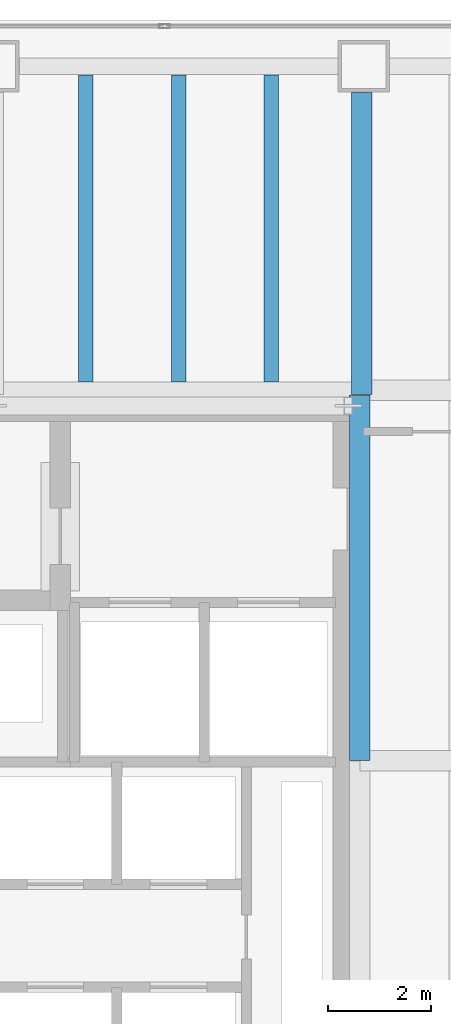
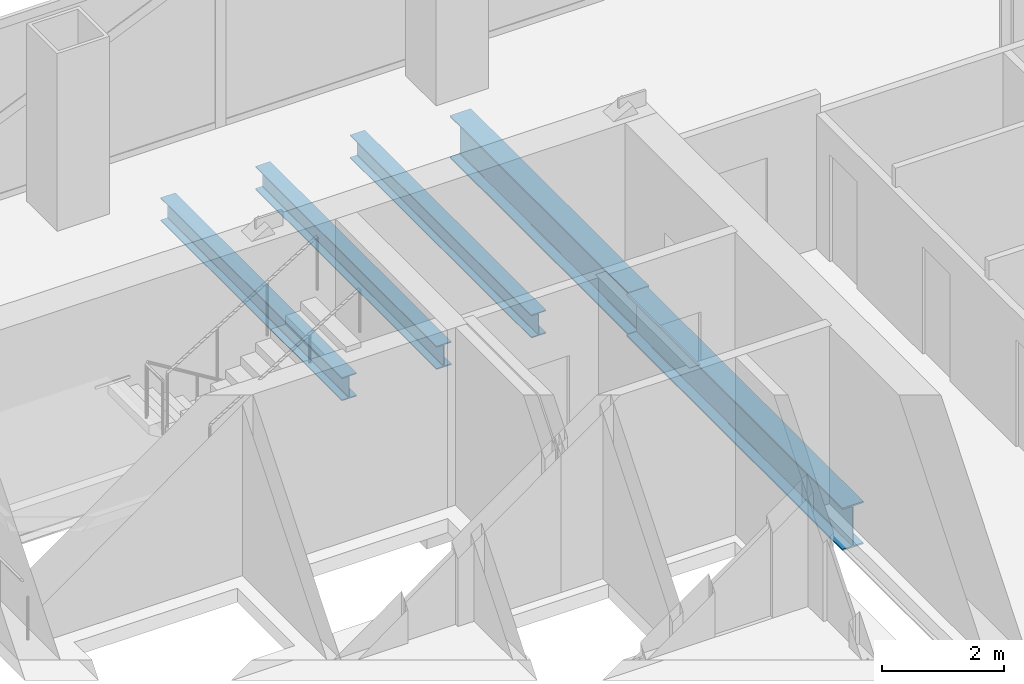
# One storey, part 15 of 23: 5 beams.
"""IFC4 building model written with IfcOpenShell, lengths in metres."""

import ifcopenshell
import ifcopenshell.guid

model = None  # the IFC model being written
_history = None  # IfcOwnerHistory: only IFC2X3 demands one
_inside = {}  # id of a spatial element -> (the spatial element, [elements in it])
_under = {}  # id of a project, library or spatial element -> (it, [spatial elements below it])
_declared = {}  # id of a project -> (the project, [libraries it declares])
_typed = {}  # id of a type object -> (the type object, [elements of that type])
_made_of = {}  # id of a material, layer set ... -> (it, [elements and type objects made of it])


def new_model(schema):
    """Start an empty IFC model of exactly this schema.

    Asked for "IFC4X3", IfcOpenShell would pick the latest addendum, in which some entities
    have other attributes; the version numbers below select the first issue.
    IFC2X3 requires an IfcOwnerHistory on every rooted entity: one is made here for all.
    """
    global model, _history
    if schema == "IFC4X3":
        model = ifcopenshell.file(schema_version=(4, 3, 0, 0))
    else:
        model = ifcopenshell.file(schema=schema)
    _inside.clear()
    _under.clear()
    _declared.clear()
    _typed.clear()
    _made_of.clear()
    _history = None
    if model.schema == "IFC2X3":
        org = make("IfcOrganization", Name="unknown")
        user = make(
            "IfcPersonAndOrganization",
            ThePerson=make("IfcPerson", FamilyName="unknown"),
            TheOrganization=org,
        )
        app = make(
            "IfcApplication",
            ApplicationDeveloper=org,
            Version="unknown",
            ApplicationFullName="unknown",
            ApplicationIdentifier="unknown",
        )
        _history = make(
            "IfcOwnerHistory",
            OwningUser=user,
            OwningApplication=app,
            ChangeAction="ADDED",
            CreationDate=0,
        )
    return model


def make(cls, **values):
    """One entity of the class cls with the attributes given. An attribute that is None is left unset."""
    return model.create_entity(
        cls, **{name: value for name, value in values.items() if value is not None}
    )


def rooted(cls, **values):
    """An entity with a GlobalId (a new one), such as an element, a storey or a relation."""
    return make(cls, GlobalId=ifcopenshell.guid.new(), OwnerHistory=_history, **values)


def si_unit(unit_type, name, prefix=None):
    """IfcSIUnit, for example si_unit("LENGTHUNIT", "METRE", prefix="MILLI")."""
    return make("IfcSIUnit", UnitType=unit_type, Prefix=prefix, Name=name)


def assignment(units):
    """IfcUnitAssignment: the units of a project."""
    return None if units is None else make("IfcUnitAssignment", Units=units)


def point(xyz):
    """IfcCartesianPoint."""
    return None if xyz is None else make("IfcCartesianPoint", Coordinates=xyz)


def direction(xyz):
    """IfcDirection."""
    return None if xyz is None else make("IfcDirection", DirectionRatios=xyz)


def frame(location, z_axis=None, x_axis=None):
    """IfcAxis2Placement3D, a coordinate frame: its origin and axes. An axis left out is left unset."""
    return make(
        "IfcAxis2Placement3D",
        Location=point(location),
        Axis=direction(z_axis),
        RefDirection=direction(x_axis),
    )


def frame_2d(location, x_axis=None):
    """IfcAxis2Placement2D, a coordinate frame in the plane: its origin and x axis."""
    return make(
        "IfcAxis2Placement2D", Location=point(location), RefDirection=direction(x_axis)
    )


def origin():
    """The frame at (0, 0, 0) with its axes left unset."""
    return frame((0.0, 0.0, 0.0))


def origin_2d():
    """The frame at (0, 0) in the plane with its x axis left unset."""
    return frame_2d((0.0, 0.0))


def place(relative_to, where):
    """IfcLocalPlacement: puts the frame where relative to a parent placement (None: the world)."""
    return make(
        "IfcLocalPlacement", PlacementRelTo=relative_to, RelativePlacement=where
    )


def context(
    kind, dimensions, precision=None, world=None, true_north=None, identifier=None
):
    """IfcGeometricRepresentationContext, for example the 3D "Model" context."""
    return make(
        "IfcGeometricRepresentationContext",
        ContextIdentifier=identifier,
        ContextType=kind,
        CoordinateSpaceDimension=dimensions,
        Precision=precision,
        WorldCoordinateSystem=world,
        TrueNorth=true_north,
    )


def subcontext(parent, identifier, kind, view, scale=None):
    """IfcGeometricRepresentationSubContext, for example "Body" below "Model"."""
    return make(
        "IfcGeometricRepresentationSubContext",
        ContextIdentifier=identifier,
        ContextType=kind,
        ParentContext=parent,
        TargetScale=scale,
        TargetView=view,
    )


def project(units=None, contexts=None):
    """IfcProject with its units and contexts."""
    return rooted(
        "IfcProject",
        Name="project",
        RepresentationContexts=contexts,
        UnitsInContext=assignment(units),
    )


def spatial(cls, under=None, at=None, **own):
    """A site, building, storey or space (cls), placed at a placement, below another one or the project."""
    s = rooted(cls, ObjectPlacement=at, **own)
    if under is not None:
        _under.setdefault(under.id(), (under, []))[1].append(s)
    return s


def profile(cls, at=None, kind="AREA", **sizes):
    """A parametric profile (cls). Its sizes go by their IFC names, for example OverallWidth=200.0."""
    return make(cls, ProfileType=kind, Position=at, **sizes)


def i_section(**sizes):
    """IfcIShapeProfileDef."""
    return profile("IfcIShapeProfileDef", **sizes)


def extrude(swept, where, along, depth):
    """IfcExtrudedAreaSolid: the profile swept, set in the frame where, extruded along a direction by depth."""
    return make(
        "IfcExtrudedAreaSolid",
        SweptArea=swept,
        Position=where,
        ExtrudedDirection=direction(along),
        Depth=depth,
    )


def shape(context_of_items, identifier, shape_type, items):
    """IfcShapeRepresentation: the items that make up one representation, for example the "Body"."""
    return make(
        "IfcShapeRepresentation",
        ContextOfItems=context_of_items,
        RepresentationIdentifier=identifier,
        RepresentationType=shape_type,
        Items=items,
    )


def material(Name=None, Category=None):
    """IfcMaterial."""
    return make("IfcMaterial", Name=Name, Category=Category)


def material_profile(
    of_material, cross_section, Name=None, Category=None, Priority=None
):
    """IfcMaterialProfile: a cross section and its material."""
    return make(
        "IfcMaterialProfile",
        Name=Name,
        Material=of_material,
        Profile=cross_section,
        Priority=Priority,
        Category=Category,
    )


def profile_set(profiles, Name=None, composite=None):
    """IfcMaterialProfileSet."""
    return make(
        "IfcMaterialProfileSet",
        Name=Name,
        MaterialProfiles=profiles,
        CompositeProfile=composite,
    )


def made_of(thing, what):
    """Note that an element or type object is made of a material, layer set ...; save() writes the relation."""
    if what is not None:
        _made_of.setdefault(what.id(), (what, []))[1].append(thing)
    return thing


def type_object(cls, material=None, **own):
    """A type object (cls), such as IfcWallType, which elements share."""
    return made_of(rooted(cls, **own), material)


def element(
    cls,
    number,
    at=None,
    inside=None,
    cuts=None,
    type_object=None,
    material=None,
    context=None,
    identifier="Body",
    shape_type=None,
    held_by="IfcProductDefinitionShape",
    body=None,
    shapes=None,
    **own,
):
    """One element of the class cls, such as IfcWall. Its Tag is "e" and its number.

    at: its placement. inside: the storey or other place that contains it. cuts: it is an
    opening in that element (IfcRelVoidsElement). A single representation is given by context,
    identifier, shape_type and body (its items); several are given by shapes. held_by: the class
    of the entity that holds the representations. save() writes the other relations.
    """
    e = rooted(cls, Tag="e%d" % number, ObjectPlacement=at, **own)
    if body is not None:
        shapes = [shape(context, identifier, shape_type, body)]
    if shapes is not None:
        e.Representation = make(held_by, Representations=shapes)
    if inside is not None:
        _inside.setdefault(inside.id(), (inside, []))[1].append(e)
    if cuts is not None:
        rooted(
            "IfcRelVoidsElement", RelatingBuildingElement=cuts, RelatedOpeningElement=e
        )
    if type_object is not None:
        _typed.setdefault(type_object.id(), (type_object, []))[1].append(e)
    return made_of(e, material)


def aggregate(whole, parts):
    """IfcRelAggregates: a whole, such as a stair, and the parts it consists of."""
    return rooted("IfcRelAggregates", RelatingObject=whole, RelatedObjects=parts)


def save(model, path):
    """Write the relations noted so far, then the file.

    IfcRelAggregates (storeys below a building ...), IfcRelContainedInSpatialStructure (elements
    in a storey), IfcRelDefinesByType, IfcRelAssociatesMaterial and IfcRelDeclares: one each for
    every whole, place, type object, material and project.
    """
    for whole, parts in _under.values():
        aggregate(whole, parts)
    for where, things in _inside.values():
        rooted(
            "IfcRelContainedInSpatialStructure",
            RelatedElements=things,
            RelatingStructure=where,
        )
    for kind, things in _typed.values():
        rooted("IfcRelDefinesByType", RelatedObjects=things, RelatingType=kind)
    for what, things in _made_of.values():
        rooted("IfcRelAssociatesMaterial", RelatedObjects=things, RelatingMaterial=what)
    for by, libraries in _declared.values():
        rooted("IfcRelDeclares", RelatingContext=by, RelatedDefinitions=libraries)
    model.write(path)


model = new_model("IFC4")

# Units and contexts
model_context = context("Model", 3, precision=1e-05, world=origin(), true_north=direction((0.0, 1.0)))
body_context = subcontext(model_context, "Body", "Model", "MODEL_VIEW")
ifc_project = project(units=[si_unit("LENGTHUNIT", "METRE"), si_unit("AREAUNIT", "SQUARE_METRE"), si_unit("VOLUMEUNIT", "CUBIC_METRE"), si_unit("PLANEANGLEUNIT", "RADIAN"), si_unit("MASSUNIT", "GRAM", prefix="KILO")], contexts=[model_context])

# Site, building, storey
site_placement = place(None, origin())
site = spatial("IfcSite", under=ifc_project, at=site_placement, CompositionType="ELEMENT")
building_placement = place(site_placement, origin())
building = spatial("IfcBuilding", under=site, at=building_placement, Name="Cobrela Telecom Tower", CompositionType="ELEMENT")
storey_placement = place(building_placement, frame((0.0, 0.0, 54.25)))
storey = spatial("IfcBuildingStorey", under=building, at=storey_placement, Name="L13", CompositionType="ELEMENT", Elevation=54.25)

# Beams
ifc_material = material(Name="Steel ASTM A992 Grade 50", Category="steel")
ifc_material_profile_1 = material_profile(ifc_material, i_section(OverallWidth=0.39892578125, OverallDepth=0.85595703125, WebThickness=0.018310546875, FlangeThickness=0.029296875, FilletRadius=0.02001953125, at=origin_2d()), Name="W33X201")
ifc_profile_set_1 = profile_set([ifc_material_profile_1], Name="Steel ASTM A992 Grade 50")
beam_type_1 = type_object("IfcBeamType", Name="BM-GIRD-03", PredefinedType="USERDEFINED", material=ifc_profile_set_1)
beam_1_placement = place(storey_placement, frame((14.320068359375, 28.804931640625, -0.7080078125), z_axis=(0.0, 1.0, 0.0), x_axis=(-1.0, 0.0, 0.0)))
element("IfcBeam", 1, at=beam_1_placement, inside=storey, type_object=beam_type_1, Name="L13 Primary Girder Y38", ObjectType="GIRDER", PredefinedType="USERDEFINED", context=body_context, shape_type="SweptSolid", body=[
    extrude(i_section(OverallWidth=0.39892578125, OverallDepth=0.85595703125, WebThickness=0.018310546875, FlangeThickness=0.029296875, FilletRadius=0.02001953125, at=origin_2d()), origin(), (0.0, 0.0, 1.0), 7.110107421875),
])
beam_2_placement = place(storey_placement, frame((14.360107421875, 35.925048828125, -0.7080078125), z_axis=(0.0, 1.0, 0.0), x_axis=(-1.0, 0.0, 0.0)))
element("IfcBeam", 2, at=beam_2_placement, inside=storey, type_object=beam_type_1, Name="L13 Primary Girder Y39", ObjectType="GIRDER", PredefinedType="USERDEFINED", context=body_context, shape_type="SweptSolid", body=[
    extrude(i_section(OverallWidth=0.39892578125, OverallDepth=0.85595703125, WebThickness=0.018310546875, FlangeThickness=0.029296875, FilletRadius=0.02001953125, at=origin_2d()), origin(), (0.0, 0.0, 1.0), 5.869873046875),
])
ifc_material_profile_2 = material_profile(ifc_material, i_section(OverallWidth=0.281982421875, OverallDepth=0.467041015625, WebThickness=0.01220703125, FlangeThickness=0.01953125, FilletRadius=0.012939453125, at=origin_2d()), Name="W18X86")
ifc_profile_set_2 = profile_set([ifc_material_profile_2], Name="Steel ASTM A992 Grade 50")
beam_type_2 = type_object("IfcBeamType", Name="BM-JOIST-02", PredefinedType="JOIST", material=ifc_profile_set_2)
for number, where, z_axis, x_axis, name in (
    (3, (9.0, 36.16455078125, -0.513427734375), (0.0, 1.0, 0.0), (-1.0, 0.0, 0.0), "L13 Secondary Composite Floor Beam J02"),
    (4, (10.800048828125, 36.16455078125, -0.513427734375), (0.0, 1.0, 0.0), (-1.0, 0.0, 0.0), "L13 Secondary Composite Floor Beam J04"),
    (5, (12.60009765625, 36.16455078125, -0.513427734375), (0.0, 1.0, 0.0), (-1.0, 0.0, 0.0), "L13 Secondary Composite Floor Beam J06"),
):
    element("IfcBeam", number, at=place(storey_placement, frame(where, z_axis=z_axis, x_axis=x_axis)), inside=storey, type_object=beam_type_2, Name=name, PredefinedType="JOIST", context=body_context, shape_type="SweptSolid", body=[
        extrude(i_section(OverallWidth=0.281982421875, OverallDepth=0.467041015625, WebThickness=0.01220703125, FlangeThickness=0.01953125, FilletRadius=0.012939453125, at=origin_2d()), origin(), (0.0, 0.0, 1.0), 5.968017578125),
    ])

save(model, "model.ifc")
